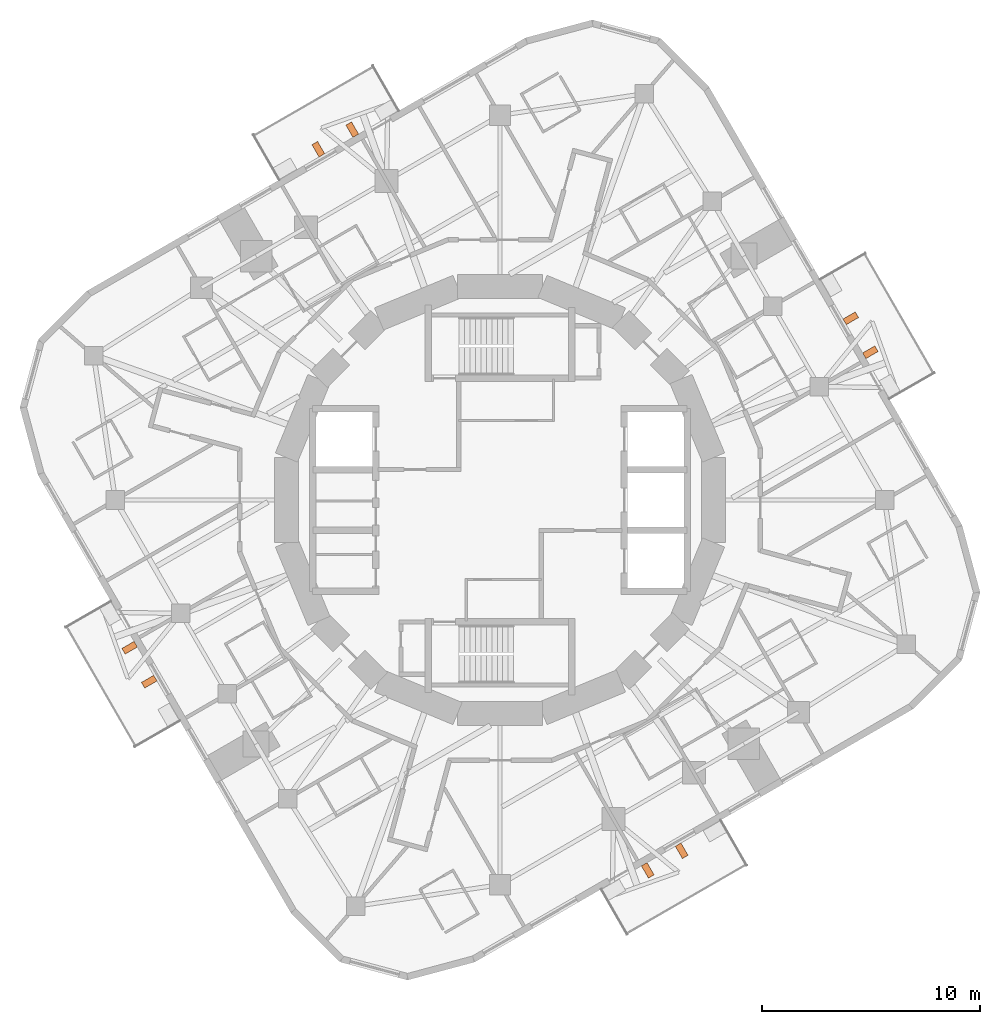
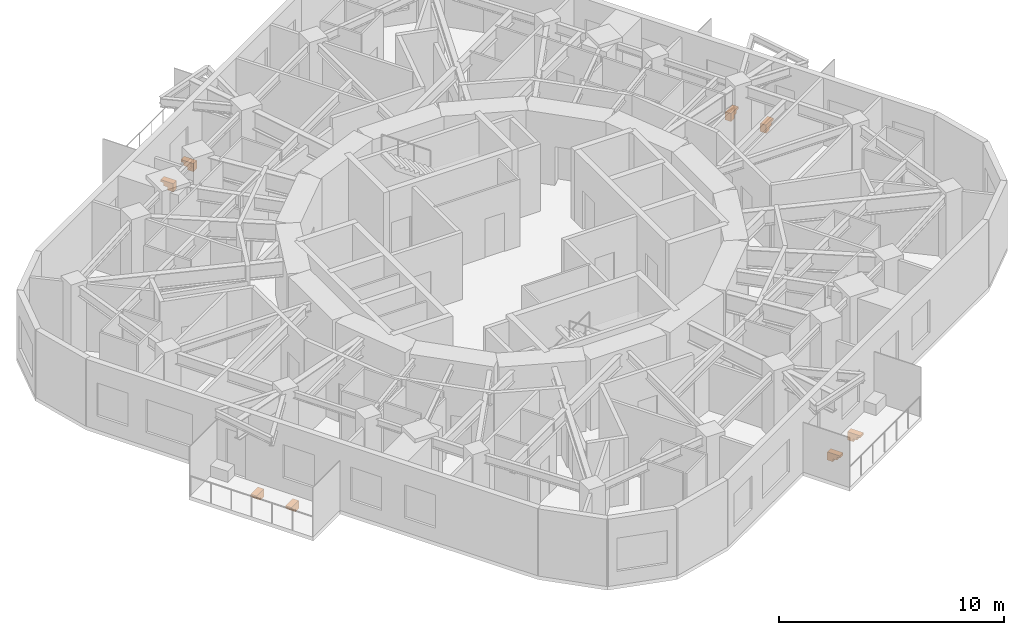
# One storey, part 12 of 12: 8 proxies.
"""IFC4 building model written with IfcOpenShell, lengths in metres."""

from ifc_helpers import new_model, si_unit, direction, frame, origin, place, context, subcontext, project, spatial, polyline, outline, extrude, material, type_object, element, save


model = new_model("IFC4")

# Units and contexts
model_context = context("Model", 3, precision=1e-05, world=origin(), true_north=direction((0.0, 1.0)))
body_context = subcontext(model_context, "Body", "Model", "MODEL_VIEW")
ifc_project = project(units=[si_unit("LENGTHUNIT", "METRE"), si_unit("AREAUNIT", "SQUARE_METRE"), si_unit("VOLUMEUNIT", "CUBIC_METRE"), si_unit("PLANEANGLEUNIT", "RADIAN"), si_unit("MASSUNIT", "GRAM", prefix="KILO")], contexts=[model_context])

# Site, building, storey
site_placement = place(None, origin())
site = spatial("IfcSite", under=ifc_project, at=site_placement, CompositionType="ELEMENT")
building_placement = place(site_placement, origin())
building = spatial("IfcBuilding", under=site, at=building_placement, Name="Nakasero Lantern House", CompositionType="ELEMENT")
storey_placement = place(building_placement, frame((0.0, 0.0, 226.949951171875)))
storey = spatial("IfcBuildingStorey", under=building, at=storey_placement, Name="L55", CompositionType="ELEMENT", Elevation=226.949951171875)

# Proxies
ifc_material = material(Name="Concrete C40/50 precast", Category="concrete")
building_element_proxy_type = type_object("IfcBuildingElementProxyType", Name="Balcony bracket 300", PredefinedType="USERDEFINED", material=ifc_material)
for number, where, z_axis, x_axis, name in (
    (1, (16.7294921875, 6.62353515625, -0.199951171875), (0.0, 0.0, 1.0), (0.866025404, 0.5, 0.0), "Balcony bracket L55 0A"),
    (2, (15.82958984375, 8.182373046875, -0.199951171875), (0.0, 0.0, 1.0), (0.866025404, 0.5, 0.0), "Balcony bracket L55 0B"),
    (3, (-6.62353515625, 16.7294921875, -0.199951171875), (0.0, 0.0, 1.0), (-0.5, 0.866025404, 0.0), "Balcony bracket L55 1A"),
    (4, (-8.182373046875, 15.82958984375, -0.199951171875), (0.0, 0.0, 1.0), (-0.5, 0.866025404, 0.0), "Balcony bracket L55 1B"),
    (5, (-16.7294921875, -6.62353515625, -0.199951171875), (0.0, 0.0, 1.0), (-0.866025404, -0.5, 0.0), "Balcony bracket L55 2A"),
    (6, (-15.82958984375, -8.182373046875, -0.199951171875), (0.0, 0.0, 1.0), (-0.866025404, -0.5, 0.0), "Balcony bracket L55 2B"),
    (7, (6.62353515625, -16.7294921875, -0.199951171875), (0.0, 0.0, 1.0), (0.5, -0.866025404, 0.0), "Balcony bracket L55 3A"),
    (8, (8.182373046875, -15.82958984375, -0.199951171875), (0.0, 0.0, 1.0), (0.5, -0.866025404, 0.0), "Balcony bracket L55 3B"),
):
    element("IfcBuildingElementProxy", number, at=place(storey_placement, frame(where, z_axis=z_axis, x_axis=x_axis)), inside=storey, type_object=building_element_proxy_type, Name=name, ObjectType="BALCONY BRACKET", PredefinedType="USERDEFINED", context=body_context, shape_type="SweptSolid", body=[
        extrude(outline(polyline([(0.0, 0.0), (0.64990234375, 0.0), (0.64990234375, -0.1201171875), (0.5, -0.1201171875), (0.5, -0.280029296875), (0.300048828125, -0.280029296875), (0.300048828125, -0.43994140625), (0.0, -0.43994140625), (0.0, 0.0)])), frame((0.0, 0.14990234375, 0.0), z_axis=(0.0, -1.0, 0.0), x_axis=(1.0, 0.0, 0.0)), (0.0, 0.0, 1.0), 0.300048828125),
    ])

save(model, "model.ifc")
